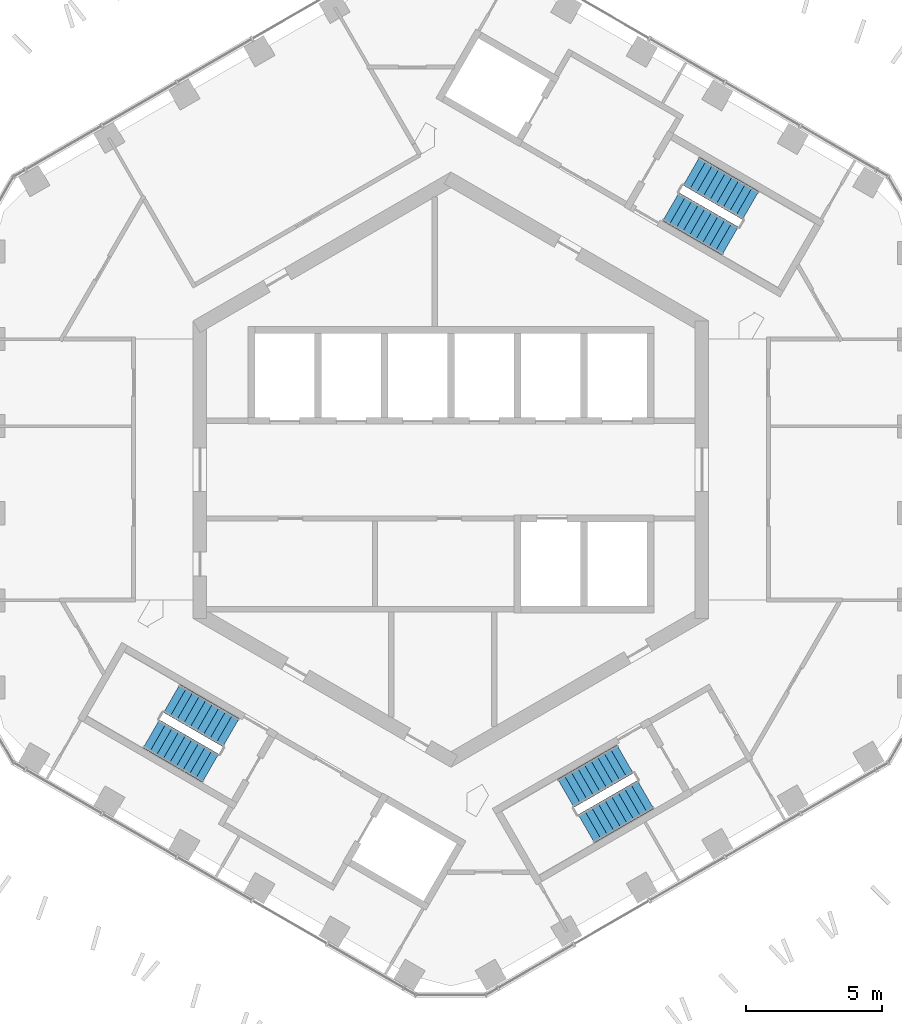
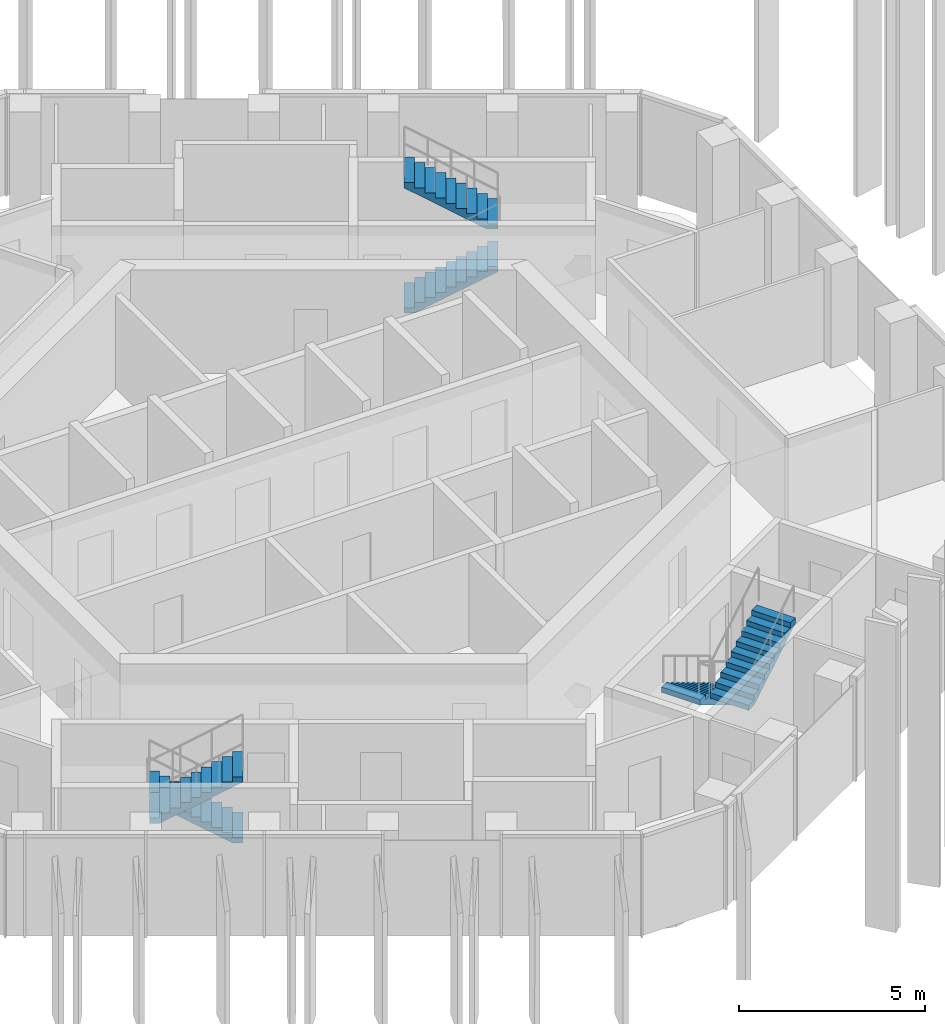
# One storey, part 15 of 18: 6 stair flights, 3 elements without a shape of their own.
"""IFC4 building model written with IfcOpenShell, lengths in metres."""

from ifc_helpers import new_model, si_unit, direction, frame, origin, place, context, subcontext, project, spatial, triangles, material, type_object, element, aggregate, save


model = new_model("IFC4")

# Units and contexts
model_context = context("Model", 3, precision=1e-05, world=origin(), true_north=direction((0.0, 1.0)))
body_context = subcontext(model_context, "Body", "Model", "MODEL_VIEW")
ifc_project = project(units=[si_unit("LENGTHUNIT", "METRE"), si_unit("AREAUNIT", "SQUARE_METRE"), si_unit("VOLUMEUNIT", "CUBIC_METRE"), si_unit("PLANEANGLEUNIT", "RADIAN"), si_unit("MASSUNIT", "GRAM", prefix="KILO")], contexts=[model_context])

# Site, building, storey
site_placement = place(None, origin())
site = spatial("IfcSite", under=ifc_project, at=site_placement, CompositionType="ELEMENT")
building_placement = place(site_placement, origin())
building = spatial("IfcBuilding", under=site, at=building_placement, Name="Ayvan Gate Tower", CompositionType="ELEMENT")
storey_placement = place(building_placement, frame((0.0, 0.0, 218.89990234375)))
storey = spatial("IfcBuildingStorey", under=building, at=storey_placement, Name="L58", CompositionType="ELEMENT", Elevation=218.89990234375)

# Stair, stair flights
ifc_material = material(Name="Concrete C40/50", Category="concrete")
stair_type = type_object("IfcStairType", Name="ST-EXIT", PredefinedType="HALF_TURN_STAIR", material=ifc_material)
stair_1_placement = place(storey_placement, origin())
stair_1 = element("IfcStair", 1, at=stair_1_placement, inside=storey, type_object=stair_type, Name="L58 Exit Stair S1", PredefinedType="HALF_TURN_STAIR")
stair_flight_type = type_object("IfcStairFlightType", Name="SFL-EXIT", PredefinedType="STRAIGHT", material=ifc_material)
stair_flight_1_placement = place(storey_placement, frame((8.106201171875, 9.690185546875, 0.0), z_axis=(0.0, 0.0, 1.0), x_axis=(0.866025403784, -0.5, 0.0)))
stair_flight_1 = element("IfcStairFlight", 2, at=stair_flight_1_placement, type_object=stair_flight_type, Name="STS1 flight 1", NumberOfRisers=10, NumberOfTreads=9, PredefinedType="STRAIGHT", RiserHeight=0.17, TreadLength=0.28, context=body_context, shape_type="Tessellation", body=[
    triangles([(0.288841, -0.599976, 0.0), (2.5205, -0.599976, 1.354936), (2.5205, -0.599976, 1.53), (2.24, -0.599976, 1.53), (2.24, -0.599976, 1.36), (1.96, -0.599976, 1.36), (1.96, -0.599976, 1.19), (1.68, -0.599976, 1.19), (1.68, -0.599976, 1.02), (1.4, -0.599976, 1.02), (1.4, -0.599976, 0.85), (1.12, -0.599976, 0.85), (1.12, -0.599976, 0.68), (0.84, -0.599976, 0.68), (0.84, -0.599976, 0.51), (0.56, -0.599976, 0.51), (0.56, -0.599976, 0.34), (0.28, -0.599976, 0.34), (0.28, -0.599976, 0.17), (-0.0005, -0.599976, 0.17), (-0.0005, -0.599976, 0.0), (0.288841, 0.0, 0.0), (2.5205, 0.0, 1.354936), (2.5205, 0.0, 1.53), (2.24, 0.0, 1.53), (2.24, 0.0, 1.36), (1.96, 0.0, 1.36), (1.96, 0.0, 1.19), (1.68, 0.0, 1.19), (1.68, 0.0, 1.02), (1.4, 0.0, 1.02), (1.4, 0.0, 0.85), (1.12, 0.0, 0.85), (1.12, 0.0, 0.68), (0.84, 0.0, 0.68), (0.84, 0.0, 0.51), (0.56, 0.0, 0.51), (0.56, 0.0, 0.34), (0.28, 0.0, 0.34), (0.28, 0.0, 0.17), (-0.0005, 0.0, 0.17), (-0.0005, 0.0, 0.0), (0.288841, 0.599976, 0.0), (2.5205, 0.599976, 1.354936), (2.5205, 0.599976, 1.53), (2.24, 0.599976, 1.53), (2.24, 0.599976, 1.36), (1.96, 0.599976, 1.36), (1.96, 0.599976, 1.19), (1.68, 0.599976, 1.19), (1.68, 0.599976, 1.02), (1.4, 0.599976, 1.02), (1.4, 0.599976, 0.85), (1.12, 0.599976, 0.85), (1.12, 0.599976, 0.68), (0.84, 0.599976, 0.68), (0.84, 0.599976, 0.51), (0.56, 0.599976, 0.51), (0.56, 0.599976, 0.34), (0.28, 0.599976, 0.34), (0.28, 0.599976, 0.17), (-0.0005, 0.599976, 0.17), (-0.0005, 0.599976, 0.0)], [[21, 1, 2], [63, 44, 43], [2, 3, 4], [44, 46, 45], [2, 4, 5], [44, 47, 46], [2, 5, 6], [44, 48, 47], [2, 6, 7], [44, 49, 48], [7, 8, 9], [49, 51, 50], [2, 7, 9], [44, 51, 49], [9, 10, 11], [51, 53, 52], [2, 9, 11], [44, 53, 51], [11, 12, 13], [53, 55, 54], [2, 11, 13], [44, 55, 53], [13, 14, 15], [55, 57, 56], [2, 13, 15], [44, 57, 55], [15, 16, 17], [57, 59, 58], [2, 15, 17], [44, 59, 57], [17, 18, 19], [59, 61, 60], [2, 17, 19], [44, 61, 59], [21, 2, 19], [63, 61, 44], [19, 20, 21], [61, 63, 62], [1, 22, 23], [1, 23, 2], [43, 23, 22], [43, 44, 23], [2, 23, 24], [2, 24, 3], [44, 24, 23], [44, 45, 24], [3, 24, 25], [3, 25, 4], [45, 25, 24], [45, 46, 25], [4, 25, 26], [4, 26, 5], [46, 26, 25], [46, 47, 26], [5, 26, 27], [5, 27, 6], [47, 27, 26], [47, 48, 27], [6, 27, 28], [6, 28, 7], [48, 28, 27], [48, 49, 28], [7, 28, 29], [7, 29, 8], [49, 29, 28], [49, 50, 29], [8, 29, 30], [8, 30, 9], [50, 30, 29], [50, 51, 30], [9, 30, 31], [9, 31, 10], [51, 31, 30], [51, 52, 31], [10, 31, 32], [10, 32, 11], [52, 32, 31], [52, 53, 32], [11, 32, 33], [11, 33, 12], [53, 33, 32], [53, 54, 33], [12, 33, 34], [12, 34, 13], [54, 34, 33], [54, 55, 34], [13, 34, 35], [13, 35, 14], [55, 35, 34], [55, 56, 35], [14, 35, 36], [14, 36, 15], [56, 36, 35], [56, 57, 36], [15, 36, 37], [15, 37, 16], [57, 37, 36], [57, 58, 37], [16, 37, 38], [16, 38, 17], [58, 38, 37], [58, 59, 38], [17, 38, 39], [17, 39, 18], [59, 39, 38], [59, 60, 39], [18, 39, 40], [18, 40, 19], [60, 40, 39], [60, 61, 40], [19, 40, 41], [19, 41, 20], [61, 41, 40], [61, 62, 41], [20, 41, 42], [20, 42, 21], [62, 42, 41], [62, 63, 42], [21, 42, 22], [21, 22, 1], [63, 22, 42], [63, 43, 22]], closed=True),
])
stair_flight_2_placement = place(storey_placement, frame((11.04345703125, 9.73779296875, 1.7001953125), z_axis=(0.0, 0.0, 1.0), x_axis=(-0.866025403784, 0.5, 0.0)))
stair_flight_2 = element("IfcStairFlight", 3, at=stair_flight_2_placement, type_object=stair_flight_type, Name="STS1 flight 2", NumberOfRisers=10, NumberOfTreads=9, PredefinedType="STRAIGHT", RiserHeight=0.17, TreadLength=0.28, context=body_context, shape_type="Tessellation", body=[
    triangles([(0.288841, -0.599976, 0.0), (2.5205, -0.599976, 1.354936), (2.5205, -0.599976, 1.53), (2.24, -0.599976, 1.53), (2.24, -0.599976, 1.36), (1.96, -0.599976, 1.36), (1.96, -0.599976, 1.19), (1.68, -0.599976, 1.19), (1.68, -0.599976, 1.02), (1.4, -0.599976, 1.02), (1.4, -0.599976, 0.85), (1.12, -0.599976, 0.85), (1.12, -0.599976, 0.68), (0.84, -0.599976, 0.68), (0.84, -0.599976, 0.51), (0.56, -0.599976, 0.51), (0.56, -0.599976, 0.34), (0.28, -0.599976, 0.34), (0.28, -0.599976, 0.17), (-0.0005, -0.599976, 0.17), (-0.0005, -0.599976, 0.0), (0.288841, 0.0, 0.0), (2.5205, 0.0, 1.354936), (2.5205, 0.0, 1.53), (2.24, 0.0, 1.53), (2.24, 0.0, 1.36), (1.96, 0.0, 1.36), (1.96, 0.0, 1.19), (1.68, 0.0, 1.19), (1.68, 0.0, 1.02), (1.4, 0.0, 1.02), (1.4, 0.0, 0.85), (1.12, 0.0, 0.85), (1.12, 0.0, 0.68), (0.84, 0.0, 0.68), (0.84, 0.0, 0.51), (0.56, 0.0, 0.51), (0.56, 0.0, 0.34), (0.28, 0.0, 0.34), (0.28, 0.0, 0.17), (-0.0005, 0.0, 0.17), (-0.0005, 0.0, 0.0), (0.288841, 0.599976, 0.0), (2.5205, 0.599976, 1.354936), (2.5205, 0.599976, 1.53), (2.24, 0.599976, 1.53), (2.24, 0.599976, 1.36), (1.96, 0.599976, 1.36), (1.96, 0.599976, 1.19), (1.68, 0.599976, 1.19), (1.68, 0.599976, 1.02), (1.4, 0.599976, 1.02), (1.4, 0.599976, 0.85), (1.12, 0.599976, 0.85), (1.12, 0.599976, 0.68), (0.84, 0.599976, 0.68), (0.84, 0.599976, 0.51), (0.56, 0.599976, 0.51), (0.56, 0.599976, 0.34), (0.28, 0.599976, 0.34), (0.28, 0.599976, 0.17), (-0.0005, 0.599976, 0.17), (-0.0005, 0.599976, 0.0)], [[21, 1, 2], [63, 44, 43], [2, 3, 4], [44, 46, 45], [2, 4, 5], [44, 47, 46], [2, 5, 6], [44, 48, 47], [2, 6, 7], [44, 49, 48], [7, 8, 9], [49, 51, 50], [2, 7, 9], [44, 51, 49], [9, 10, 11], [51, 53, 52], [2, 9, 11], [44, 53, 51], [11, 12, 13], [53, 55, 54], [2, 11, 13], [44, 55, 53], [13, 14, 15], [55, 57, 56], [2, 13, 15], [44, 57, 55], [15, 16, 17], [57, 59, 58], [2, 15, 17], [44, 59, 57], [17, 18, 19], [59, 61, 60], [2, 17, 19], [44, 61, 59], [21, 2, 19], [63, 61, 44], [19, 20, 21], [61, 63, 62], [1, 22, 23], [1, 23, 2], [43, 23, 22], [43, 44, 23], [2, 23, 24], [2, 24, 3], [44, 24, 23], [44, 45, 24], [3, 24, 25], [3, 25, 4], [45, 25, 24], [45, 46, 25], [4, 25, 26], [4, 26, 5], [46, 26, 25], [46, 47, 26], [5, 26, 27], [5, 27, 6], [47, 27, 26], [47, 48, 27], [6, 27, 28], [6, 28, 7], [48, 28, 27], [48, 49, 28], [7, 28, 29], [7, 29, 8], [49, 29, 28], [49, 50, 29], [8, 29, 30], [8, 30, 9], [50, 30, 29], [50, 51, 30], [9, 30, 31], [9, 31, 10], [51, 31, 30], [51, 52, 31], [10, 31, 32], [10, 32, 11], [52, 32, 31], [52, 53, 32], [11, 32, 33], [11, 33, 12], [53, 33, 32], [53, 54, 33], [12, 33, 34], [12, 34, 13], [54, 34, 33], [54, 55, 34], [13, 34, 35], [13, 35, 14], [55, 35, 34], [55, 56, 35], [14, 35, 36], [14, 36, 15], [56, 36, 35], [56, 57, 36], [15, 36, 37], [15, 37, 16], [57, 37, 36], [57, 58, 37], [16, 37, 38], [16, 38, 17], [58, 38, 37], [58, 59, 38], [17, 38, 39], [17, 39, 18], [59, 39, 38], [59, 60, 39], [18, 39, 40], [18, 40, 19], [60, 40, 39], [60, 61, 40], [19, 40, 41], [19, 41, 20], [61, 41, 40], [61, 62, 41], [20, 41, 42], [20, 42, 21], [62, 42, 41], [62, 63, 42], [21, 42, 22], [21, 22, 1], [63, 22, 42], [63, 43, 22]], closed=True),
])
aggregate(stair_1, [stair_flight_1, stair_flight_2])

stair_2_placement = place(storey_placement, origin())
stair_2 = element("IfcStair", 4, at=stair_2_placement, inside=storey, type_object=stair_type, Name="L58 Exit Stair S2", PredefinedType="HALF_TURN_STAIR")
stair_flight_3_placement = place(storey_placement, frame((-8.106201171875, -9.690185546875, 0.0), z_axis=(0.0, 0.0, 1.0), x_axis=(-0.866025403784, 0.5, 0.0)))
stair_flight_3 = element("IfcStairFlight", 5, at=stair_flight_3_placement, type_object=stair_flight_type, Name="STS2 flight 1", NumberOfRisers=10, NumberOfTreads=9, PredefinedType="STRAIGHT", RiserHeight=0.17, TreadLength=0.28, context=body_context, shape_type="Tessellation", body=[
    triangles([(0.288841, -0.599976, 0.0), (2.5205, -0.599976, 1.354936), (2.5205, -0.599976, 1.53), (2.24, -0.599976, 1.53), (2.24, -0.599976, 1.36), (1.96, -0.599976, 1.36), (1.96, -0.599976, 1.19), (1.68, -0.599976, 1.19), (1.68, -0.599976, 1.02), (1.4, -0.599976, 1.02), (1.4, -0.599976, 0.85), (1.12, -0.599976, 0.85), (1.12, -0.599976, 0.68), (0.84, -0.599976, 0.68), (0.84, -0.599976, 0.51), (0.56, -0.599976, 0.51), (0.56, -0.599976, 0.34), (0.28, -0.599976, 0.34), (0.28, -0.599976, 0.17), (-0.0005, -0.599976, 0.17), (-0.0005, -0.599976, 0.0), (0.288841, 0.0, 0.0), (2.5205, 0.0, 1.354936), (2.5205, 0.0, 1.53), (2.24, 0.0, 1.53), (2.24, 0.0, 1.36), (1.96, 0.0, 1.36), (1.96, 0.0, 1.19), (1.68, 0.0, 1.19), (1.68, 0.0, 1.02), (1.4, 0.0, 1.02), (1.4, 0.0, 0.85), (1.12, 0.0, 0.85), (1.12, 0.0, 0.68), (0.84, 0.0, 0.68), (0.84, 0.0, 0.51), (0.56, 0.0, 0.51), (0.56, 0.0, 0.34), (0.28, 0.0, 0.34), (0.28, 0.0, 0.17), (-0.0005, 0.0, 0.17), (-0.0005, 0.0, 0.0), (0.288841, 0.599976, 0.0), (2.5205, 0.599976, 1.354936), (2.5205, 0.599976, 1.53), (2.24, 0.599976, 1.53), (2.24, 0.599976, 1.36), (1.96, 0.599976, 1.36), (1.96, 0.599976, 1.19), (1.68, 0.599976, 1.19), (1.68, 0.599976, 1.02), (1.4, 0.599976, 1.02), (1.4, 0.599976, 0.85), (1.12, 0.599976, 0.85), (1.12, 0.599976, 0.68), (0.84, 0.599976, 0.68), (0.84, 0.599976, 0.51), (0.56, 0.599976, 0.51), (0.56, 0.599976, 0.34), (0.28, 0.599976, 0.34), (0.28, 0.599976, 0.17), (-0.0005, 0.599976, 0.17), (-0.0005, 0.599976, 0.0)], [[21, 1, 2], [63, 44, 43], [2, 3, 4], [44, 46, 45], [2, 4, 5], [44, 47, 46], [2, 5, 6], [44, 48, 47], [2, 6, 7], [44, 49, 48], [7, 8, 9], [49, 51, 50], [2, 7, 9], [44, 51, 49], [9, 10, 11], [51, 53, 52], [2, 9, 11], [44, 53, 51], [11, 12, 13], [53, 55, 54], [2, 11, 13], [44, 55, 53], [13, 14, 15], [55, 57, 56], [2, 13, 15], [44, 57, 55], [15, 16, 17], [57, 59, 58], [2, 15, 17], [44, 59, 57], [17, 18, 19], [59, 61, 60], [2, 17, 19], [44, 61, 59], [21, 2, 19], [63, 61, 44], [19, 20, 21], [61, 63, 62], [1, 22, 23], [1, 23, 2], [43, 23, 22], [43, 44, 23], [2, 23, 24], [2, 24, 3], [44, 24, 23], [44, 45, 24], [3, 24, 25], [3, 25, 4], [45, 25, 24], [45, 46, 25], [4, 25, 26], [4, 26, 5], [46, 26, 25], [46, 47, 26], [5, 26, 27], [5, 27, 6], [47, 27, 26], [47, 48, 27], [6, 27, 28], [6, 28, 7], [48, 28, 27], [48, 49, 28], [7, 28, 29], [7, 29, 8], [49, 29, 28], [49, 50, 29], [8, 29, 30], [8, 30, 9], [50, 30, 29], [50, 51, 30], [9, 30, 31], [9, 31, 10], [51, 31, 30], [51, 52, 31], [10, 31, 32], [10, 32, 11], [52, 32, 31], [52, 53, 32], [11, 32, 33], [11, 33, 12], [53, 33, 32], [53, 54, 33], [12, 33, 34], [12, 34, 13], [54, 34, 33], [54, 55, 34], [13, 34, 35], [13, 35, 14], [55, 35, 34], [55, 56, 35], [14, 35, 36], [14, 36, 15], [56, 36, 35], [56, 57, 36], [15, 36, 37], [15, 37, 16], [57, 37, 36], [57, 58, 37], [16, 37, 38], [16, 38, 17], [58, 38, 37], [58, 59, 38], [17, 38, 39], [17, 39, 18], [59, 39, 38], [59, 60, 39], [18, 39, 40], [18, 40, 19], [60, 40, 39], [60, 61, 40], [19, 40, 41], [19, 41, 20], [61, 41, 40], [61, 62, 41], [20, 41, 42], [20, 42, 21], [62, 42, 41], [62, 63, 42], [21, 42, 22], [21, 22, 1], [63, 22, 42], [63, 43, 22]], closed=True),
])
stair_flight_4_placement = place(storey_placement, frame((-11.04345703125, -9.73779296875, 1.7001953125), z_axis=(0.0, 0.0, 1.0), x_axis=(0.866025403784, -0.5, 0.0)))
stair_flight_4 = element("IfcStairFlight", 6, at=stair_flight_4_placement, type_object=stair_flight_type, Name="STS2 flight 2", NumberOfRisers=10, NumberOfTreads=9, PredefinedType="STRAIGHT", RiserHeight=0.17, TreadLength=0.28, context=body_context, shape_type="Tessellation", body=[
    triangles([(0.288841, -0.599976, 0.0), (2.5205, -0.599976, 1.354936), (2.5205, -0.599976, 1.53), (2.24, -0.599976, 1.53), (2.24, -0.599976, 1.36), (1.96, -0.599976, 1.36), (1.96, -0.599976, 1.19), (1.68, -0.599976, 1.19), (1.68, -0.599976, 1.02), (1.4, -0.599976, 1.02), (1.4, -0.599976, 0.85), (1.12, -0.599976, 0.85), (1.12, -0.599976, 0.68), (0.84, -0.599976, 0.68), (0.84, -0.599976, 0.51), (0.56, -0.599976, 0.51), (0.56, -0.599976, 0.34), (0.28, -0.599976, 0.34), (0.28, -0.599976, 0.17), (-0.0005, -0.599976, 0.17), (-0.0005, -0.599976, 0.0), (0.288841, 0.0, 0.0), (2.5205, 0.0, 1.354936), (2.5205, 0.0, 1.53), (2.24, 0.0, 1.53), (2.24, 0.0, 1.36), (1.96, 0.0, 1.36), (1.96, 0.0, 1.19), (1.68, 0.0, 1.19), (1.68, 0.0, 1.02), (1.4, 0.0, 1.02), (1.4, 0.0, 0.85), (1.12, 0.0, 0.85), (1.12, 0.0, 0.68), (0.84, 0.0, 0.68), (0.84, 0.0, 0.51), (0.56, 0.0, 0.51), (0.56, 0.0, 0.34), (0.28, 0.0, 0.34), (0.28, 0.0, 0.17), (-0.0005, 0.0, 0.17), (-0.0005, 0.0, 0.0), (0.288841, 0.599976, 0.0), (2.5205, 0.599976, 1.354936), (2.5205, 0.599976, 1.53), (2.24, 0.599976, 1.53), (2.24, 0.599976, 1.36), (1.96, 0.599976, 1.36), (1.96, 0.599976, 1.19), (1.68, 0.599976, 1.19), (1.68, 0.599976, 1.02), (1.4, 0.599976, 1.02), (1.4, 0.599976, 0.85), (1.12, 0.599976, 0.85), (1.12, 0.599976, 0.68), (0.84, 0.599976, 0.68), (0.84, 0.599976, 0.51), (0.56, 0.599976, 0.51), (0.56, 0.599976, 0.34), (0.28, 0.599976, 0.34), (0.28, 0.599976, 0.17), (-0.0005, 0.599976, 0.17), (-0.0005, 0.599976, 0.0)], [[21, 1, 2], [63, 44, 43], [2, 3, 4], [44, 46, 45], [2, 4, 5], [44, 47, 46], [2, 5, 6], [44, 48, 47], [2, 6, 7], [44, 49, 48], [7, 8, 9], [49, 51, 50], [2, 7, 9], [44, 51, 49], [9, 10, 11], [51, 53, 52], [2, 9, 11], [44, 53, 51], [11, 12, 13], [53, 55, 54], [2, 11, 13], [44, 55, 53], [13, 14, 15], [55, 57, 56], [2, 13, 15], [44, 57, 55], [15, 16, 17], [57, 59, 58], [2, 15, 17], [44, 59, 57], [17, 18, 19], [59, 61, 60], [2, 17, 19], [44, 61, 59], [21, 2, 19], [63, 61, 44], [19, 20, 21], [61, 63, 62], [1, 22, 23], [1, 23, 2], [43, 23, 22], [43, 44, 23], [2, 23, 24], [2, 24, 3], [44, 24, 23], [44, 45, 24], [3, 24, 25], [3, 25, 4], [45, 25, 24], [45, 46, 25], [4, 25, 26], [4, 26, 5], [46, 26, 25], [46, 47, 26], [5, 26, 27], [5, 27, 6], [47, 27, 26], [47, 48, 27], [6, 27, 28], [6, 28, 7], [48, 28, 27], [48, 49, 28], [7, 28, 29], [7, 29, 8], [49, 29, 28], [49, 50, 29], [8, 29, 30], [8, 30, 9], [50, 30, 29], [50, 51, 30], [9, 30, 31], [9, 31, 10], [51, 31, 30], [51, 52, 31], [10, 31, 32], [10, 32, 11], [52, 32, 31], [52, 53, 32], [11, 32, 33], [11, 33, 12], [53, 33, 32], [53, 54, 33], [12, 33, 34], [12, 34, 13], [54, 34, 33], [54, 55, 34], [13, 34, 35], [13, 35, 14], [55, 35, 34], [55, 56, 35], [14, 35, 36], [14, 36, 15], [56, 36, 35], [56, 57, 36], [15, 36, 37], [15, 37, 16], [57, 37, 36], [57, 58, 37], [16, 37, 38], [16, 38, 17], [58, 38, 37], [58, 59, 38], [17, 38, 39], [17, 39, 18], [59, 39, 38], [59, 60, 39], [18, 39, 40], [18, 40, 19], [60, 40, 39], [60, 61, 40], [19, 40, 41], [19, 41, 20], [61, 41, 40], [61, 62, 41], [20, 41, 42], [20, 42, 21], [62, 42, 41], [62, 63, 42], [21, 42, 22], [21, 22, 1], [63, 22, 42], [63, 43, 22]], closed=True),
])
aggregate(stair_2, [stair_flight_3, stair_flight_4])

stair_3_placement = place(storey_placement, origin())
stair_3 = element("IfcStair", 7, at=stair_3_placement, inside=storey, type_object=stair_type, Name="L58 Exit Stair S3", PredefinedType="HALF_TURN_STAIR")
stair_flight_5_placement = place(storey_placement, frame((6.417236328125, -10.665283203125, 0.0), z_axis=(0.0, 0.0, 1.0), x_axis=(-0.866025403784, -0.5, 0.0)))
stair_flight_5 = element("IfcStairFlight", 8, at=stair_flight_5_placement, type_object=stair_flight_type, Name="STS3 flight 1", NumberOfRisers=10, NumberOfTreads=9, PredefinedType="STRAIGHT", RiserHeight=0.17, TreadLength=0.28, context=body_context, shape_type="Tessellation", body=[
    triangles([(0.288841, -0.599976, 0.0), (2.5205, -0.599976, 1.354936), (2.5205, -0.599976, 1.53), (2.24, -0.599976, 1.53), (2.24, -0.599976, 1.36), (1.96, -0.599976, 1.36), (1.96, -0.599976, 1.19), (1.68, -0.599976, 1.19), (1.68, -0.599976, 1.02), (1.4, -0.599976, 1.02), (1.4, -0.599976, 0.85), (1.12, -0.599976, 0.85), (1.12, -0.599976, 0.68), (0.84, -0.599976, 0.68), (0.84, -0.599976, 0.51), (0.56, -0.599976, 0.51), (0.56, -0.599976, 0.34), (0.28, -0.599976, 0.34), (0.28, -0.599976, 0.17), (-0.0005, -0.599976, 0.17), (-0.0005, -0.599976, 0.0), (0.288841, 0.0, 0.0), (2.5205, 0.0, 1.354936), (2.5205, 0.0, 1.53), (2.24, 0.0, 1.53), (2.24, 0.0, 1.36), (1.96, 0.0, 1.36), (1.96, 0.0, 1.19), (1.68, 0.0, 1.19), (1.68, 0.0, 1.02), (1.4, 0.0, 1.02), (1.4, 0.0, 0.85), (1.12, 0.0, 0.85), (1.12, 0.0, 0.68), (0.84, 0.0, 0.68), (0.84, 0.0, 0.51), (0.56, 0.0, 0.51), (0.56, 0.0, 0.34), (0.28, 0.0, 0.34), (0.28, 0.0, 0.17), (-0.0005, 0.0, 0.17), (-0.0005, 0.0, 0.0), (0.288841, 0.599976, 0.0), (2.5205, 0.599976, 1.354936), (2.5205, 0.599976, 1.53), (2.24, 0.599976, 1.53), (2.24, 0.599976, 1.36), (1.96, 0.599976, 1.36), (1.96, 0.599976, 1.19), (1.68, 0.599976, 1.19), (1.68, 0.599976, 1.02), (1.4, 0.599976, 1.02), (1.4, 0.599976, 0.85), (1.12, 0.599976, 0.85), (1.12, 0.599976, 0.68), (0.84, 0.599976, 0.68), (0.84, 0.599976, 0.51), (0.56, 0.599976, 0.51), (0.56, 0.599976, 0.34), (0.28, 0.599976, 0.34), (0.28, 0.599976, 0.17), (-0.0005, 0.599976, 0.17), (-0.0005, 0.599976, 0.0)], [[21, 1, 2], [63, 44, 43], [2, 3, 4], [44, 46, 45], [2, 4, 5], [44, 47, 46], [2, 5, 6], [44, 48, 47], [2, 6, 7], [44, 49, 48], [7, 8, 9], [49, 51, 50], [2, 7, 9], [44, 51, 49], [9, 10, 11], [51, 53, 52], [2, 9, 11], [44, 53, 51], [11, 12, 13], [53, 55, 54], [2, 11, 13], [44, 55, 53], [13, 14, 15], [55, 57, 56], [2, 13, 15], [44, 57, 55], [15, 16, 17], [57, 59, 58], [2, 15, 17], [44, 59, 57], [17, 18, 19], [59, 61, 60], [2, 17, 19], [44, 61, 59], [21, 2, 19], [63, 61, 44], [19, 20, 21], [61, 63, 62], [1, 22, 23], [1, 23, 2], [43, 23, 22], [43, 44, 23], [2, 23, 24], [2, 24, 3], [44, 24, 23], [44, 45, 24], [3, 24, 25], [3, 25, 4], [45, 25, 24], [45, 46, 25], [4, 25, 26], [4, 26, 5], [46, 26, 25], [46, 47, 26], [5, 26, 27], [5, 27, 6], [47, 27, 26], [47, 48, 27], [6, 27, 28], [6, 28, 7], [48, 28, 27], [48, 49, 28], [7, 28, 29], [7, 29, 8], [49, 29, 28], [49, 50, 29], [8, 29, 30], [8, 30, 9], [50, 30, 29], [50, 51, 30], [9, 30, 31], [9, 31, 10], [51, 31, 30], [51, 52, 31], [10, 31, 32], [10, 32, 11], [52, 32, 31], [52, 53, 32], [11, 32, 33], [11, 33, 12], [53, 33, 32], [53, 54, 33], [12, 33, 34], [12, 34, 13], [54, 34, 33], [54, 55, 34], [13, 34, 35], [13, 35, 14], [55, 35, 34], [55, 56, 35], [14, 35, 36], [14, 36, 15], [56, 36, 35], [56, 57, 36], [15, 36, 37], [15, 37, 16], [57, 37, 36], [57, 58, 37], [16, 37, 38], [16, 38, 17], [58, 38, 37], [58, 59, 38], [17, 38, 39], [17, 39, 18], [59, 39, 38], [59, 60, 39], [18, 39, 40], [18, 40, 19], [60, 40, 39], [60, 61, 40], [19, 40, 41], [19, 41, 20], [61, 41, 40], [61, 62, 41], [20, 41, 42], [20, 42, 21], [62, 42, 41], [62, 63, 42], [21, 42, 22], [21, 22, 1], [63, 22, 42], [63, 43, 22]], closed=True),
])
stair_flight_6_placement = place(storey_placement, frame((4.989990234375, -13.23291015625, 1.7001953125), z_axis=(0.0, 0.0, 1.0), x_axis=(0.866025403784, 0.5, 0.0)))
stair_flight_6 = element("IfcStairFlight", 9, at=stair_flight_6_placement, type_object=stair_flight_type, Name="STS3 flight 2", NumberOfRisers=10, NumberOfTreads=9, PredefinedType="STRAIGHT", RiserHeight=0.17, TreadLength=0.28, context=body_context, shape_type="Tessellation", body=[
    triangles([(0.288841, -0.599976, 0.0), (2.5205, -0.599976, 1.354936), (2.5205, -0.599976, 1.53), (2.24, -0.599976, 1.53), (2.24, -0.599976, 1.36), (1.96, -0.599976, 1.36), (1.96, -0.599976, 1.19), (1.68, -0.599976, 1.19), (1.68, -0.599976, 1.02), (1.4, -0.599976, 1.02), (1.4, -0.599976, 0.85), (1.12, -0.599976, 0.85), (1.12, -0.599976, 0.68), (0.84, -0.599976, 0.68), (0.84, -0.599976, 0.51), (0.56, -0.599976, 0.51), (0.56, -0.599976, 0.34), (0.28, -0.599976, 0.34), (0.28, -0.599976, 0.17), (-0.0005, -0.599976, 0.17), (-0.0005, -0.599976, 0.0), (0.288841, 0.0, 0.0), (2.5205, 0.0, 1.354936), (2.5205, 0.0, 1.53), (2.24, 0.0, 1.53), (2.24, 0.0, 1.36), (1.96, 0.0, 1.36), (1.96, 0.0, 1.19), (1.68, 0.0, 1.19), (1.68, 0.0, 1.02), (1.4, 0.0, 1.02), (1.4, 0.0, 0.85), (1.12, 0.0, 0.85), (1.12, 0.0, 0.68), (0.84, 0.0, 0.68), (0.84, 0.0, 0.51), (0.56, 0.0, 0.51), (0.56, 0.0, 0.34), (0.28, 0.0, 0.34), (0.28, 0.0, 0.17), (-0.0005, 0.0, 0.17), (-0.0005, 0.0, 0.0), (0.288841, 0.599976, 0.0), (2.5205, 0.599976, 1.354936), (2.5205, 0.599976, 1.53), (2.24, 0.599976, 1.53), (2.24, 0.599976, 1.36), (1.96, 0.599976, 1.36), (1.96, 0.599976, 1.19), (1.68, 0.599976, 1.19), (1.68, 0.599976, 1.02), (1.4, 0.599976, 1.02), (1.4, 0.599976, 0.85), (1.12, 0.599976, 0.85), (1.12, 0.599976, 0.68), (0.84, 0.599976, 0.68), (0.84, 0.599976, 0.51), (0.56, 0.599976, 0.51), (0.56, 0.599976, 0.34), (0.28, 0.599976, 0.34), (0.28, 0.599976, 0.17), (-0.0005, 0.599976, 0.17), (-0.0005, 0.599976, 0.0)], [[21, 1, 2], [63, 44, 43], [2, 3, 4], [44, 46, 45], [2, 4, 5], [44, 47, 46], [2, 5, 6], [44, 48, 47], [2, 6, 7], [44, 49, 48], [7, 8, 9], [49, 51, 50], [2, 7, 9], [44, 51, 49], [9, 10, 11], [51, 53, 52], [2, 9, 11], [44, 53, 51], [11, 12, 13], [53, 55, 54], [2, 11, 13], [44, 55, 53], [13, 14, 15], [55, 57, 56], [2, 13, 15], [44, 57, 55], [15, 16, 17], [57, 59, 58], [2, 15, 17], [44, 59, 57], [17, 18, 19], [59, 61, 60], [2, 17, 19], [44, 61, 59], [21, 2, 19], [63, 61, 44], [19, 20, 21], [61, 63, 62], [1, 22, 23], [1, 23, 2], [43, 23, 22], [43, 44, 23], [2, 23, 24], [2, 24, 3], [44, 24, 23], [44, 45, 24], [3, 24, 25], [3, 25, 4], [45, 25, 24], [45, 46, 25], [4, 25, 26], [4, 26, 5], [46, 26, 25], [46, 47, 26], [5, 26, 27], [5, 27, 6], [47, 27, 26], [47, 48, 27], [6, 27, 28], [6, 28, 7], [48, 28, 27], [48, 49, 28], [7, 28, 29], [7, 29, 8], [49, 29, 28], [49, 50, 29], [8, 29, 30], [8, 30, 9], [50, 30, 29], [50, 51, 30], [9, 30, 31], [9, 31, 10], [51, 31, 30], [51, 52, 31], [10, 31, 32], [10, 32, 11], [52, 32, 31], [52, 53, 32], [11, 32, 33], [11, 33, 12], [53, 33, 32], [53, 54, 33], [12, 33, 34], [12, 34, 13], [54, 34, 33], [54, 55, 34], [13, 34, 35], [13, 35, 14], [55, 35, 34], [55, 56, 35], [14, 35, 36], [14, 36, 15], [56, 36, 35], [56, 57, 36], [15, 36, 37], [15, 37, 16], [57, 37, 36], [57, 58, 37], [16, 37, 38], [16, 38, 17], [58, 38, 37], [58, 59, 38], [17, 38, 39], [17, 39, 18], [59, 39, 38], [59, 60, 39], [18, 39, 40], [18, 40, 19], [60, 40, 39], [60, 61, 40], [19, 40, 41], [19, 41, 20], [61, 41, 40], [61, 62, 41], [20, 41, 42], [20, 42, 21], [62, 42, 41], [62, 63, 42], [21, 42, 22], [21, 22, 1], [63, 22, 42], [63, 43, 22]], closed=True),
])
aggregate(stair_3, [stair_flight_5, stair_flight_6])

save(model, "model.ifc")
